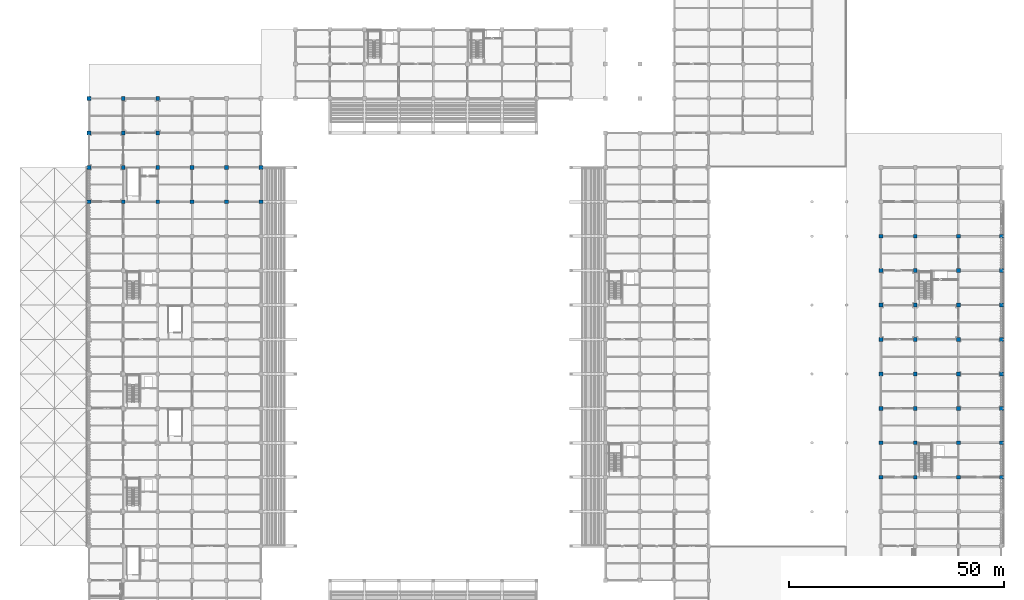
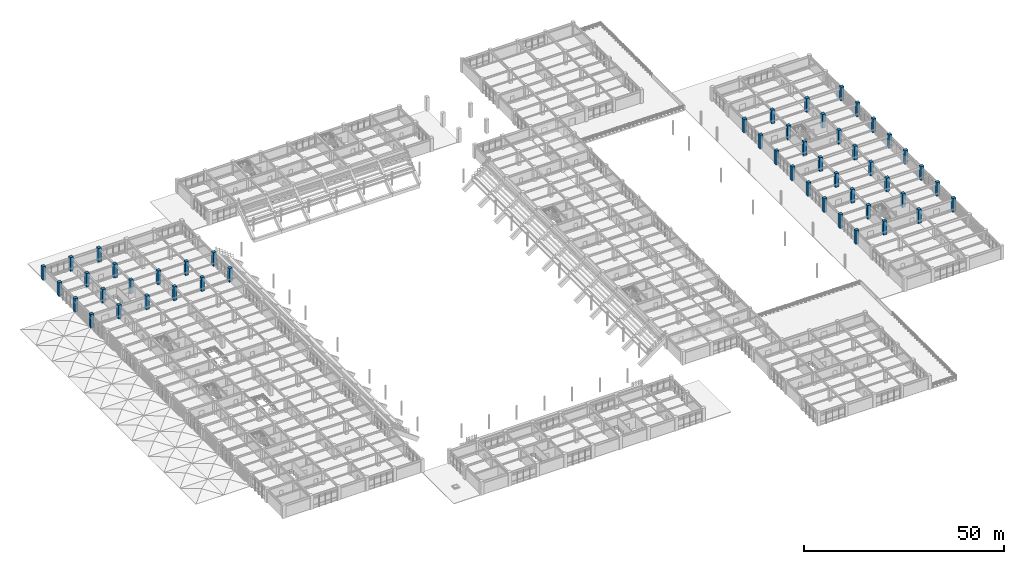
# One storey, part 11 of 118: 50 columns.
"""IFC4 building model written with IfcOpenShell, lengths in metres."""

from ifc_helpers import new_model, si_unit, direction, frame, origin, origin_2d, place, context, subcontext, project, spatial, rectangle, extrude, material, material_profile, profile_set, type_object, element, save


model = new_model("IFC4")

# Units and contexts
model_context = context("Model", 3, precision=1e-05, world=origin(), true_north=direction((0.0, 1.0)))
body_context = subcontext(model_context, "Body", "Model", "MODEL_VIEW")
ifc_project = project(units=[si_unit("LENGTHUNIT", "METRE"), si_unit("AREAUNIT", "SQUARE_METRE"), si_unit("VOLUMEUNIT", "CUBIC_METRE"), si_unit("PLANEANGLEUNIT", "RADIAN"), si_unit("MASSUNIT", "GRAM", prefix="KILO")], contexts=[model_context])

# Site, building, storey
site_placement = place(None, origin())
site = spatial("IfcSite", under=ifc_project, at=site_placement, CompositionType="ELEMENT")
building_placement = place(site_placement, origin())
building = spatial("IfcBuilding", under=site, at=building_placement, Name="Haebicheon Civic Stadium", CompositionType="ELEMENT")
storey_placement = place(building_placement, frame((0.0, 0.0, 14.39990234375)))
storey = spatial("IfcBuildingStorey", under=building, at=storey_placement, Name="L04", CompositionType="ELEMENT", Elevation=14.39990234375)

# Columns
ifc_material = material(Name="Concrete C40/50", Category="concrete")
ifc_material_profile = material_profile(ifc_material, rectangle(XDim=0.89990234375, YDim=0.89990234375, at=origin_2d()), Name="RC-COL-900x900")
ifc_profile_set = profile_set([ifc_material_profile], Name="Concrete C40/50")
column_type = type_object("IfcColumnType", Name="COL-RC-900", PredefinedType="COLUMN", material=ifc_profile_set)
for number, where, z_axis, x_axis, name in (
    (1, (24.0, 128.0, 0.0), (0.0, 0.0, 1.0), (1.0, 0.0, 0.0), "L04 column 4/S"),
    (2, (24.0, 136.0, 0.0), (0.0, 0.0, 1.0), (1.0, 0.0, 0.0), "L04 column 4/T"),
    (3, (24.0, 144.0, 0.0), (0.0, 0.0, 1.0), (1.0, 0.0, 0.0), "L04 column 4/U"),
    (4, (24.0, 152.0, 0.0), (0.0, 0.0, 1.0), (1.0, 0.0, 0.0), "L04 column 4/V"),
    (5, (32.0, 128.0, 0.0), (0.0, 0.0, 1.0), (1.0, 0.0, 0.0), "L04 column 5/S"),
    (6, (32.0, 136.0, 0.0), (0.0, 0.0, 1.0), (1.0, 0.0, 0.0), "L04 column 5/T"),
    (7, (32.0, 144.0, 0.0), (0.0, 0.0, 1.0), (1.0, 0.0, 0.0), "L04 column 5/U"),
    (8, (32.0, 152.0, 0.0), (0.0, 0.0, 1.0), (1.0, 0.0, 0.0), "L04 column 5/V"),
    (9, (40.0, 128.0, 0.0), (0.0, 0.0, 1.0), (1.0, 0.0, 0.0), "L04 column 6/S"),
    (10, (40.0, 136.0, 0.0), (0.0, 0.0, 1.0), (1.0, 0.0, 0.0), "L04 column 6/T"),
    (11, (40.0, 144.0, 0.0), (0.0, 0.0, 1.0), (1.0, 0.0, 0.0), "L04 column 6/U"),
    (12, (40.0, 152.0, 0.0), (0.0, 0.0, 1.0), (1.0, 0.0, 0.0), "L04 column 6/V"),
    (13, (48.0, 128.0, 0.0), (0.0, 0.0, 1.0), (1.0, 0.0, 0.0), "L04 column 7/S"),
    (14, (48.0, 136.0, 0.0), (0.0, 0.0, 1.0), (1.0, 0.0, 0.0), "L04 column 7/T"),
    (15, (56.0, 128.0, 0.0), (0.0, 0.0, 1.0), (1.0, 0.0, 0.0), "L04 column 8/S"),
    (16, (56.0, 136.0, 0.0), (0.0, 0.0, 1.0), (1.0, 0.0, 0.0), "L04 column 8/T"),
    (17, (64.0, 128.0, 0.0), (0.0, 0.0, 1.0), (1.0, 0.0, 0.0), "L04 column 9/S"),
    (18, (64.0, 136.0, 0.0), (0.0, 0.0, 1.0), (1.0, 0.0, 0.0), "L04 column 9/T"),
    (19, (208.0, 64.0, 0.0), (0.0, 0.0, 1.0), (1.0, 0.0, 0.0), "L04 column 27/J"),
    (20, (208.0, 72.0, 0.0), (0.0, 0.0, 1.0), (1.0, 0.0, 0.0), "L04 column 27/K"),
    (21, (208.0, 80.0, 0.0), (0.0, 0.0, 1.0), (1.0, 0.0, 0.0), "L04 column 27/L"),
    (22, (208.0, 88.0, 0.0), (0.0, 0.0, 1.0), (1.0, 0.0, 0.0), "L04 column 27/M"),
    (23, (208.0, 96.0, 0.0), (0.0, 0.0, 1.0), (1.0, 0.0, 0.0), "L04 column 27/N"),
    (24, (208.0, 104.0, 0.0), (0.0, 0.0, 1.0), (1.0, 0.0, 0.0), "L04 column 27/P"),
    (25, (208.0, 112.0, 0.0), (0.0, 0.0, 1.0), (1.0, 0.0, 0.0), "L04 column 27/Q"),
    (26, (208.0, 120.0, 0.0), (0.0, 0.0, 1.0), (1.0, 0.0, 0.0), "L04 column 27/R"),
    (27, (216.0, 64.0, 0.0), (0.0, 0.0, 1.0), (1.0, 0.0, 0.0), "L04 column 28/J"),
    (28, (216.0, 72.0, 0.0), (0.0, 0.0, 1.0), (1.0, 0.0, 0.0), "L04 column 28/K"),
    (29, (216.0, 80.0, 0.0), (0.0, 0.0, 1.0), (1.0, 0.0, 0.0), "L04 column 28/L"),
    (30, (216.0, 88.0, 0.0), (0.0, 0.0, 1.0), (1.0, 0.0, 0.0), "L04 column 28/M"),
    (31, (216.0, 96.0, 0.0), (0.0, 0.0, 1.0), (1.0, 0.0, 0.0), "L04 column 28/N"),
    (32, (216.0, 104.0, 0.0), (0.0, 0.0, 1.0), (1.0, 0.0, 0.0), "L04 column 28/P"),
    (33, (216.0, 112.0, 0.0), (0.0, 0.0, 1.0), (1.0, 0.0, 0.0), "L04 column 28/Q"),
    (34, (216.0, 120.0, 0.0), (0.0, 0.0, 1.0), (1.0, 0.0, 0.0), "L04 column 28/R"),
    (35, (226.0, 64.0, 0.0), (0.0, 0.0, 1.0), (1.0, 0.0, 0.0), "L04 column 29/J"),
    (36, (226.0, 72.0, 0.0), (0.0, 0.0, 1.0), (1.0, 0.0, 0.0), "L04 column 29/K"),
    (37, (226.0, 80.0, 0.0), (0.0, 0.0, 1.0), (1.0, 0.0, 0.0), "L04 column 29/L"),
    (38, (226.0, 88.0, 0.0), (0.0, 0.0, 1.0), (1.0, 0.0, 0.0), "L04 column 29/M"),
    (39, (226.0, 96.0, 0.0), (0.0, 0.0, 1.0), (1.0, 0.0, 0.0), "L04 column 29/N"),
    (40, (226.0, 104.0, 0.0), (0.0, 0.0, 1.0), (1.0, 0.0, 0.0), "L04 column 29/P"),
    (41, (226.0, 112.0, 0.0), (0.0, 0.0, 1.0), (1.0, 0.0, 0.0), "L04 column 29/Q"),
    (42, (226.0, 120.0, 0.0), (0.0, 0.0, 1.0), (1.0, 0.0, 0.0), "L04 column 29/R"),
    (43, (236.0, 64.0, 0.0), (0.0, 0.0, 1.0), (1.0, 0.0, 0.0), "L04 column 30/J"),
    (44, (236.0, 72.0, 0.0), (0.0, 0.0, 1.0), (1.0, 0.0, 0.0), "L04 column 30/K"),
    (45, (236.0, 80.0, 0.0), (0.0, 0.0, 1.0), (1.0, 0.0, 0.0), "L04 column 30/L"),
    (46, (236.0, 88.0, 0.0), (0.0, 0.0, 1.0), (1.0, 0.0, 0.0), "L04 column 30/M"),
    (47, (236.0, 96.0, 0.0), (0.0, 0.0, 1.0), (1.0, 0.0, 0.0), "L04 column 30/N"),
    (48, (236.0, 104.0, 0.0), (0.0, 0.0, 1.0), (1.0, 0.0, 0.0), "L04 column 30/P"),
    (49, (236.0, 112.0, 0.0), (0.0, 0.0, 1.0), (1.0, 0.0, 0.0), "L04 column 30/Q"),
    (50, (236.0, 120.0, 0.0), (0.0, 0.0, 1.0), (1.0, 0.0, 0.0), "L04 column 30/R"),
):
    element("IfcColumn", number, at=place(storey_placement, frame(where, z_axis=z_axis, x_axis=x_axis)), inside=storey, type_object=column_type, material=ifc_profile_set, Name=name, PredefinedType="COLUMN", context=body_context, shape_type="SweptSolid", body=[
        extrude(rectangle(XDim=0.89990234375, YDim=0.89990234375, at=origin_2d()), origin(), (0.0, 0.0, 1.0), 4.2001953125),
    ])

save(model, "model.ifc")
